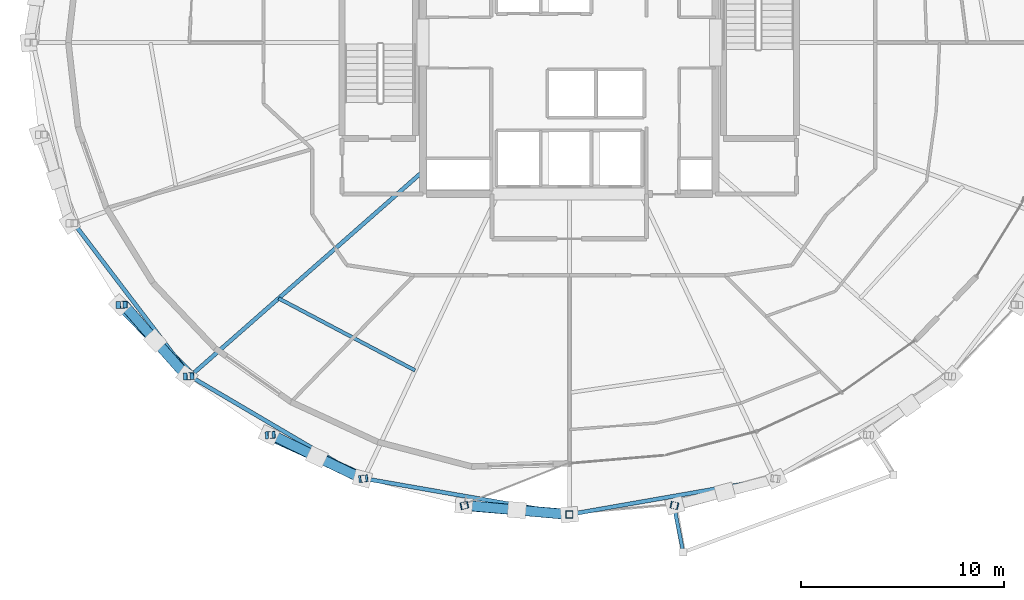
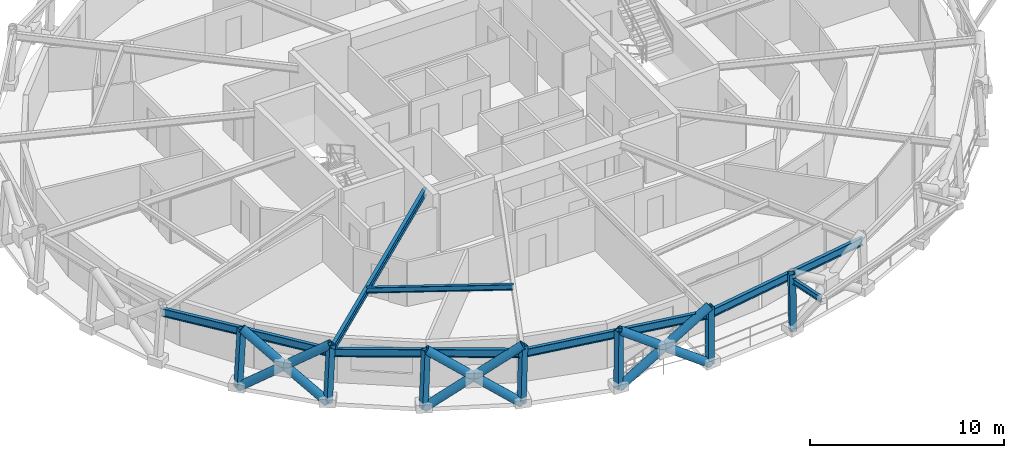
# One storey, part 1 of 17: 16 members, 7 beams.
"""IFC4 building model written with IfcOpenShell, lengths in metres."""

from ifc_helpers import new_model, si_unit, direction, frame, origin, origin_2d, place, context, subcontext, project, spatial, hollow_rectangle, hollow_circle, i_section, extrude, material, material_profile, profile_set, type_object, element, save


model = new_model("IFC4")

# Units and contexts
model_context = context("Model", 3, precision=1e-05, world=origin(), true_north=direction((0.0, 1.0)))
body_context = subcontext(model_context, "Body", "Model", "MODEL_VIEW")
ifc_project = project(units=[si_unit("LENGTHUNIT", "METRE"), si_unit("AREAUNIT", "SQUARE_METRE"), si_unit("VOLUMEUNIT", "CUBIC_METRE"), si_unit("PLANEANGLEUNIT", "RADIAN"), si_unit("MASSUNIT", "GRAM", prefix="KILO")], contexts=[model_context])

# Site, building, storey
site_placement = place(None, origin())
site = spatial("IfcSite", under=ifc_project, at=site_placement, CompositionType="ELEMENT")
building_placement = place(site_placement, origin())
building = spatial("IfcBuilding", under=site, at=building_placement, Name="Veldorina Hangang Commons", CompositionType="ELEMENT")
storey_placement = place(building_placement, frame((0.0, 0.0, 196.39990234375)))
storey = spatial("IfcBuildingStorey", under=building, at=storey_placement, Name="L51", CompositionType="ELEMENT", Elevation=196.39990234375)

# Beams
ifc_material_1 = material(Name="Steel SM355-TMC", Category="steel")
ifc_material_profile_1 = material_profile(ifc_material_1, i_section(OverallWidth=0.175048828125, OverallDepth=0.35009765625, WebThickness=0.007080078125, FlangeThickness=0.010986328125, FilletRadius=0.012939453125, at=origin_2d()), Name="H-350x175x7x11")
ifc_profile_set_1 = profile_set([ifc_material_profile_1], Name="Steel SM355-TMC")
beam_type_1 = type_object("IfcBeamType", Name="BM-FG350", PredefinedType="BEAM", material=ifc_profile_set_1)
beam_1_placement = place(storey_placement, frame((37.142578125, 1.23095703125, 3.175048828125), z_axis=(0.1950971513, -0.98078392195, 0.0), x_axis=(0.98078392195, 0.1950971513, 0.0)))
element("IfcBeam", 1, at=beam_1_placement, inside=storey, type_object=beam_type_1, Name="L52 tree balcony 1 bracket beam A", PredefinedType="BEAM", context=body_context, shape_type="SweptSolid", body=[
    extrude(i_section(OverallWidth=0.175048828125, OverallDepth=0.35009765625, WebThickness=0.007080078125, FlangeThickness=0.010986328125, FilletRadius=0.012939453125, at=origin_2d()), origin(), (0.0, 0.0, 1.0), 2.35009765625),
])
ifc_material_profile_2 = material_profile(ifc_material_1, i_section(OverallWidth=0.199951171875, OverallDepth=0.449951171875, WebThickness=0.009033203125, FlangeThickness=0.013916015625, FilletRadius=0.01611328125, at=origin_2d()), Name="H-450x200x9x14")
ifc_profile_set_2 = profile_set([ifc_material_profile_2], Name="Steel SM355-TMC")
beam_type_2 = type_object("IfcBeamType", Name="BM-FG450", PredefinedType="BEAM", material=ifc_profile_set_2)
beam_2_placement = place(storey_placement, frame((24.800048828125, 17.6669921875, 3.125), z_axis=(-0.750872417712, -0.660447282013, 0.0), x_axis=(0.660447282013, -0.750872417712, 0.0)))
element("IfcBeam", 2, at=beam_2_placement, inside=storey, type_object=beam_type_2, Name="L51 radial floor girder 11", PredefinedType="BEAM", context=body_context, shape_type="SweptSolid", body=[
    extrude(i_section(OverallWidth=0.199951171875, OverallDepth=0.449951171875, WebThickness=0.009033203125, FlangeThickness=0.013916015625, FilletRadius=0.01611328125, at=origin_2d()), origin(), (0.0, 0.0, 1.0), 15.26806640625),
])
ifc_material_profile_3 = material_profile(ifc_material_1, i_section(OverallWidth=0.175048828125, OverallDepth=0.35009765625, WebThickness=0.007080078125, FlangeThickness=0.010986328125, FilletRadius=0.012939453125, at=origin_2d()), Name="H-350x175x7x11")
ifc_profile_set_3 = profile_set([ifc_material_profile_3], Name="Steel SM355-TMC")
beam_type_3 = type_object("IfcBeamType", Name="BM-JST350", PredefinedType="JOIST", material=ifc_profile_set_3)
beam_3_placement = place(storey_placement, frame((17.692138671875, 11.4150390625, 3.175048828125), z_axis=(0.884247518612, -0.467018549769, 0.0), x_axis=(0.467018549769, 0.884247518612, 0.0)))
element("IfcBeam", 3, at=beam_3_placement, inside=storey, type_object=beam_type_3, Name="L51 secondary floor joist 11", PredefinedType="JOIST", context=body_context, shape_type="SweptSolid", body=[
    extrude(i_section(OverallWidth=0.175048828125, OverallDepth=0.35009765625, WebThickness=0.007080078125, FlangeThickness=0.010986328125, FilletRadius=0.012939453125, at=origin_2d()), origin(), (0.0, 0.0, 1.0), 7.590576171875),
])
ifc_material_2 = material(Name="Steel SM420-TMC", Category="steel")
ifc_material_profile_4 = material_profile(ifc_material_2, i_section(OverallWidth=0.199951171875, OverallDepth=0.5, WebThickness=0.010009765625, FlangeThickness=0.01611328125, FilletRadius=0.01611328125, at=origin_2d()), Name="H-500x200x10x16")
ifc_profile_set_4 = profile_set([ifc_material_profile_4], Name="Steel SM420-TMC")
beam_type_4 = type_object("IfcBeamType", Name="BM-RB500", PredefinedType="BEAM", material=ifc_profile_set_4)
beam_4_placement = place(storey_placement, frame((7.61376953125, 15.115234375, 3.10009765625), z_axis=(0.604923575038, -0.796283535158, 0.0), x_axis=(0.796283535158, 0.604923575038, 0.0)))
element("IfcBeam", 4, at=beam_4_placement, inside=storey, type_object=beam_type_4, Name="L51 perimeter hoop ring beam 18", PredefinedType="BEAM", context=body_context, shape_type="SweptSolid", body=[
    extrude(i_section(OverallWidth=0.199951171875, OverallDepth=0.5, WebThickness=0.010009765625, FlangeThickness=0.01611328125, FilletRadius=0.01611328125, at=origin_2d()), origin(), (0.0, 0.0, 1.0), 9.458984375),
])
beam_5_placement = place(storey_placement, frame((13.335693359375, 7.583251953125, 3.10009765625), z_axis=(0.862120555548, -0.506703214615, 0.0), x_axis=(0.506703214615, 0.862120555548, 0.0)))
element("IfcBeam", 5, at=beam_5_placement, inside=storey, type_object=beam_type_4, Name="L51 perimeter hoop ring beam 20", PredefinedType="BEAM", context=body_context, shape_type="SweptSolid", body=[
    extrude(i_section(OverallWidth=0.199951171875, OverallDepth=0.5, WebThickness=0.010009765625, FlangeThickness=0.01611328125, FilletRadius=0.01611328125, at=origin_2d()), origin(), (0.0, 0.0, 1.0), 9.932861328125),
])
for number, where, z_axis, x_axis, name in (
    (6, (21.89892578125, 2.55029296875, 3.10009765625), (0.985040369971, -0.172323734661, 0.0), (0.172323734661, 0.985040369971, 0.0), "L51 perimeter hoop ring beam 22"),
    (7, (32.0, 0.783203125, 3.10009765625), (0.985040369971, 0.172323734661, 0.0), (-0.172323734661, 0.985040369971, 0.0), "L51 perimeter hoop ring beam 24"),
):
    element("IfcBeam", number, at=place(storey_placement, frame(where, z_axis=z_axis, x_axis=x_axis)), inside=storey, type_object=beam_type_4, Name=name, PredefinedType="BEAM", context=body_context, shape_type="SweptSolid", body=[
        extrude(i_section(OverallWidth=0.199951171875, OverallDepth=0.5, WebThickness=0.010009765625, FlangeThickness=0.01611328125, FilletRadius=0.01611328125, at=origin_2d()), origin(), (0.0, 0.0, 1.0), 10.25439453125),
    ])

# Members
ifc_material_profile_5 = material_profile(ifc_material_2, hollow_circle(Radius=0.25, WallThickness=0.02490234375, at=origin_2d()), Name="CHS-500x25")
ifc_profile_set_5 = profile_set([ifc_material_profile_5], Name="Steel SM420-TMC")
member_type_1 = type_object("IfcMemberType", Name="DG-CHS500", PredefinedType="BRACE", material=ifc_profile_set_5)
member_1_placement = place(storey_placement, frame((9.873046875, 11.095703125, 0.0), z_axis=(0.569848896986, -0.573758529575, 0.58828002205), x_axis=(0.709520009725, 0.70468528848, 0.0)))
element("IfcMember", 8, at=member_1_placement, inside=storey, type_object=member_type_1, Name="L51 continuous perimeter diagrid brace 19", PredefinedType="BRACE", context=body_context, shape_type="SweptSolid", body=[
    extrude(hollow_circle(Radius=0.25, WallThickness=0.02490234375, at=origin_2d()), origin(), (0.0, 0.0, 1.0), 6.11962890625),
])
member_2_placement = place(storey_placement, frame((13.1826171875, 7.57568359375, 0.0), z_axis=(-0.52668884947, 0.593626169248, 0.608446240047), x_axis=(-0.748021470714, -0.663674528177, 0.0)))
element("IfcMember", 9, at=member_2_placement, inside=storey, type_object=member_type_1, Name="L51 split perimeter diagrid lower brace 20", PredefinedType="BRACE", context=body_context, shape_type="SweptSolid", body=[
    extrude(hollow_circle(Radius=0.25, WallThickness=0.02490234375, at=origin_2d()), origin(), (0.0, 0.0, 1.0), 2.96533203125),
])
member_3_placement = place(storey_placement, frame((11.620849609375, 9.3359375, 1.80419921875), z_axis=(-0.521312007407, 0.598396378485, 0.608404113357), x_axis=(-0.75400167093, -0.656872499222, 0.0)))
element("IfcMember", 10, at=member_3_placement, inside=storey, type_object=member_type_1, Name="L51 split perimeter diagrid upper brace 20", PredefinedType="BRACE", context=body_context, shape_type="SweptSolid", body=[
    extrude(hollow_circle(Radius=0.25, WallThickness=0.02490234375, at=origin_2d()), origin(), (0.0, 0.0, 1.0), 2.951904296875),
])
member_4_placement = place(storey_placement, frame((17.215087890625, 4.687255859375, 0.0), z_axis=(0.746592363198, -0.339381331004, 0.572206392293), x_axis=(0.413824333539, 0.910356754779, 0.0)))
element("IfcMember", 11, at=member_4_placement, inside=storey, type_object=member_type_1, Name="L51 continuous perimeter diagrid brace 21", PredefinedType="BRACE", context=body_context, shape_type="SweptSolid", body=[
    extrude(hollow_circle(Radius=0.25, WallThickness=0.02490234375, at=origin_2d()), origin(), (0.0, 0.0, 1.0), 6.29150390625),
])
member_5_placement = place(storey_placement, frame((21.816162109375, 2.540771484375, 0.0), z_axis=(-0.729605011064, 0.349556079528, 0.58778148584), x_axis=(-0.432073614769, -0.901838339959, 0.0)))
element("IfcMember", 12, at=member_5_placement, inside=storey, type_object=member_type_1, Name="L51 split perimeter diagrid lower brace 22", PredefinedType="BRACE", context=body_context, shape_type="SweptSolid", body=[
    extrude(hollow_circle(Radius=0.25, WallThickness=0.02490234375, at=origin_2d()), origin(), (0.0, 0.0, 1.0), 3.074462890625),
])
member_6_placement = place(storey_placement, frame((19.572998046875, 3.615478515625, 1.80712890625), z_axis=(-0.72713672016, 0.354644227521, 0.58779219294), x_axis=(-0.43836710545, -0.898796017381, 0.0)))
element("IfcMember", 13, at=member_6_placement, inside=storey, type_object=member_type_1, Name="L51 split perimeter diagrid upper brace 22", PredefinedType="BRACE", context=body_context, shape_type="SweptSolid", body=[
    extrude(hollow_circle(Radius=0.25, WallThickness=0.02490234375, at=origin_2d()), origin(), (0.0, 0.0, 1.0), 3.05029296875),
])
member_7_placement = place(storey_placement, frame((26.808349609375, 1.218994140625, 0.0), z_axis=(0.819823666124, -0.068546742458, 0.568498461353), x_axis=(0.08332083198, 0.996522773929, 0.0)))
element("IfcMember", 14, at=member_7_placement, inside=storey, type_object=member_type_1, Name="L51 continuous perimeter diagrid brace 23", PredefinedType="BRACE", context=body_context, shape_type="SweptSolid", body=[
    extrude(hollow_circle(Radius=0.25, WallThickness=0.02490234375, at=origin_2d()), origin(), (0.0, 0.0, 1.0), 6.332763671875),
])
member_8_placement = place(storey_placement, frame((32.0, 0.772705078125, 0.0), z_axis=(-0.817072425882, 0.072194549064, 0.571997026171), x_axis=(-0.088014688191, -0.996119176938, 0.0)))
element("IfcMember", 15, at=member_8_placement, inside=storey, type_object=member_type_1, Name="L51 split perimeter diagrid lower brace 24", PredefinedType="BRACE", context=body_context, shape_type="SweptSolid", body=[
    extrude(hollow_circle(Radius=0.25, WallThickness=0.02490234375, at=origin_2d()), origin(), (0.0, 0.0, 1.0), 3.161865234375),
])
member_9_placement = place(storey_placement, frame((29.41650390625, 1.0009765625, 1.80859375), z_axis=(-0.816998791874, 0.073422329894, 0.571945920127), x_axis=(-0.089507626494, -0.995986136851, 0.0)))
element("IfcMember", 16, at=member_9_placement, inside=storey, type_object=member_type_1, Name="L51 split perimeter diagrid upper brace 24", PredefinedType="BRACE", context=body_context, shape_type="SweptSolid", body=[
    extrude(hollow_circle(Radius=0.25, WallThickness=0.02490234375, at=origin_2d()), origin(), (0.0, 0.0, 1.0), 3.13232421875),
])
ifc_material_profile_6 = material_profile(ifc_material_1, hollow_rectangle(XDim=0.35009765625, YDim=0.35009765625, WallThickness=0.01611328125, at=origin_2d()), Name="SHS-350x350x16")
ifc_profile_set_6 = profile_set([ifc_material_profile_6], Name="Steel SM355-TMC")
member_type_2 = type_object("IfcMemberType", Name="STR-SHS350", PredefinedType="STRUT", material=ifc_profile_set_6)
member_10_placement = place(storey_placement, frame((9.873046875, 11.095703125, 0.0), z_axis=(0.057951983558, 0.001827924715, 0.998317698077), x_axis=(-0.031526377157, 0.999502920228, 0.0)))
element("IfcMember", 17, at=member_10_placement, inside=storey, type_object=member_type_2, Name="L51 perimeter ring node post 19", PredefinedType="STRUT", context=body_context, shape_type="SweptSolid", body=[
    extrude(hollow_rectangle(XDim=0.35009765625, YDim=0.35009765625, WallThickness=0.01611328125, at=origin_2d()), origin(), (0.0, 0.0, 1.0), 3.606201171875),
])
member_11_placement = place(storey_placement, frame((13.1826171875, 7.57568359375, 0.0), z_axis=(0.049309119006, 0.002438363028, 0.998780589103), x_axis=(-0.049390197994, 0.998779559433, 0.0)))
element("IfcMember", 18, at=member_11_placement, inside=storey, type_object=member_type_2, Name="L51 perimeter ring node post 20", PredefinedType="STRUT", context=body_context, shape_type="SweptSolid", body=[
    extrude(hollow_rectangle(XDim=0.35009765625, YDim=0.35009765625, WallThickness=0.01611328125, at=origin_2d()), origin(), (0.0, 0.0, 1.0), 3.6044921875),
])
member_12_placement = place(storey_placement, frame((17.215087890625, 4.687255859375, 0.0), z_axis=(0.038828542015, 0.002778307544, 0.999242025403), x_axis=(-0.071370757575, 0.997449855864, 0.0)))
element("IfcMember", 19, at=member_12_placement, inside=storey, type_object=member_type_2, Name="L51 perimeter ring node post 21", PredefinedType="STRUT", context=body_context, shape_type="SweptSolid", body=[
    extrude(hollow_rectangle(XDim=0.35009765625, YDim=0.35009765625, WallThickness=0.01611328125, at=origin_2d()), origin(), (0.0, 0.0, 1.0), 3.602783203125),
])
member_13_placement = place(storey_placement, frame((21.816162109375, 2.540771484375, 0.0), z_axis=(0.026709447975, 0.003118361946, 0.999638375218), x_axis=(-0.115963602348, 0.993253463588, 0.0)))
element("IfcMember", 20, at=member_13_placement, inside=storey, type_object=member_type_2, Name="L51 perimeter ring node post 22", PredefinedType="STRUT", context=body_context, shape_type="SweptSolid", body=[
    extrude(hollow_rectangle(XDim=0.35009765625, YDim=0.35009765625, WallThickness=0.01611328125, at=origin_2d()), origin(), (0.0, 0.0, 1.0), 3.601318359375),
])
member_14_placement = place(storey_placement, frame((26.808349609375, 1.218994140625, 0.0), z_axis=(0.013629473783, 0.003322608037, 0.999901594018), x_axis=(-0.236844906121, 0.971547472049, 0.0)))
element("IfcMember", 21, at=member_14_placement, inside=storey, type_object=member_type_2, Name="L51 perimeter ring node post 23", PredefinedType="STRUT", context=body_context, shape_type="SweptSolid", body=[
    extrude(hollow_rectangle(XDim=0.35009765625, YDim=0.35009765625, WallThickness=0.01611328125, at=origin_2d()), origin(), (0.0, 0.0, 1.0), 3.600341796875),
])
member_15_placement = place(storey_placement, frame((32.0, 0.772705078125, 0.0), z_axis=(0.0, 0.003390730542, 0.999994251457), x_axis=(-1.0, 0.0, 0.0)))
element("IfcMember", 22, at=member_15_placement, inside=storey, type_object=member_type_2, Name="L51 perimeter ring node post 24", PredefinedType="STRUT", context=body_context, shape_type="SweptSolid", body=[
    extrude(hollow_rectangle(XDim=0.35009765625, YDim=0.35009765625, WallThickness=0.01611328125, at=origin_2d()), origin(), (0.0, 0.0, 1.0), 3.60009765625),
])
member_16_placement = place(storey_placement, frame((37.191650390625, 1.218994140625, 0.0), z_axis=(-0.013629473783, 0.003322608037, 0.999901594018), x_axis=(-0.236844906121, -0.971547472049, 0.0)))
element("IfcMember", 23, at=member_16_placement, inside=storey, type_object=member_type_2, Name="L51 perimeter ring node post 25", PredefinedType="STRUT", context=body_context, shape_type="SweptSolid", body=[
    extrude(hollow_rectangle(XDim=0.35009765625, YDim=0.35009765625, WallThickness=0.01611328125, at=origin_2d()), origin(), (0.0, 0.0, 1.0), 3.600341796875),
])

save(model, "model.ifc")
